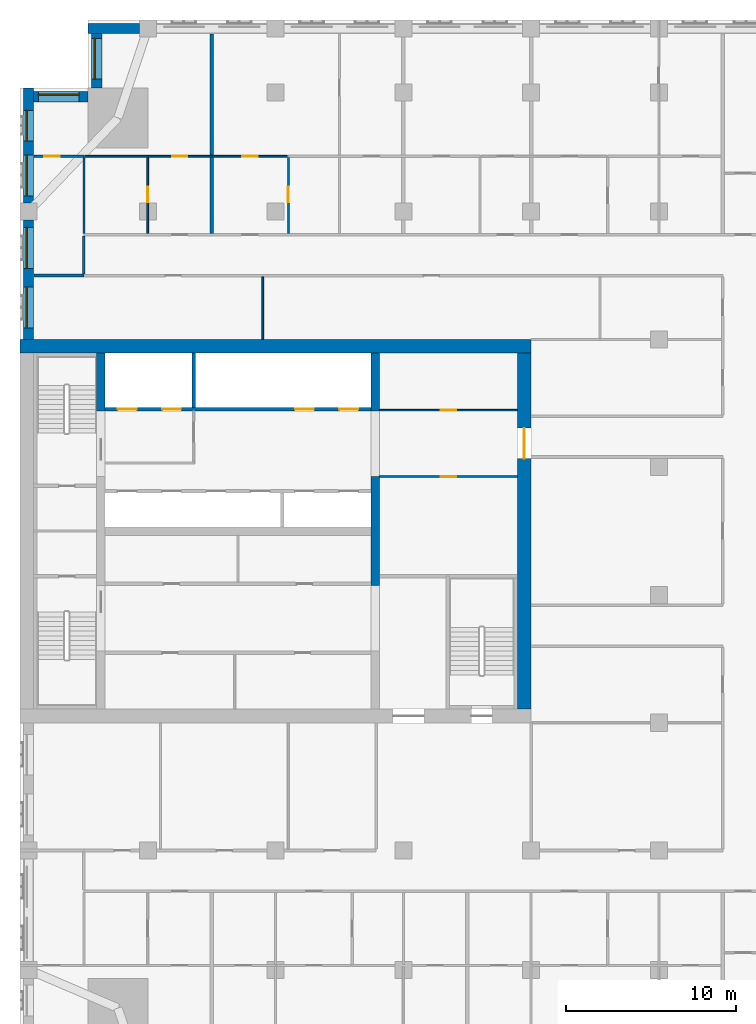
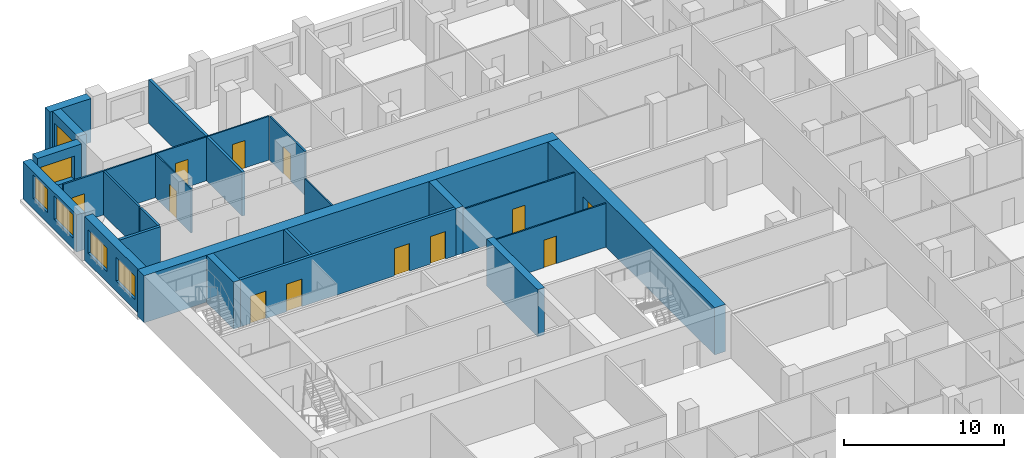
# One storey, part 8 of 13: 23 walls, 12 doors, 6 windows, 18 openings.
"""IFC4 building model written with IfcOpenShell, lengths in metres."""

from ifc_helpers import new_model, si_unit, direction, frame, frame_2d, origin, place, context, subcontext, project, spatial, rectangle, extrude, material, layer, layer_set, type_object, element, fill, save


model = new_model("IFC4")

# Units and contexts
model_context = context("Model", 3, precision=1e-05, world=origin(), true_north=direction((0.0, 1.0)))
body_context = subcontext(model_context, "Body", "Model", "MODEL_VIEW")
ifc_project = project(units=[si_unit("LENGTHUNIT", "METRE"), si_unit("AREAUNIT", "SQUARE_METRE"), si_unit("VOLUMEUNIT", "CUBIC_METRE"), si_unit("PLANEANGLEUNIT", "RADIAN"), si_unit("MASSUNIT", "GRAM", prefix="KILO")], contexts=[model_context])

# Site, building, storey
site_placement = place(None, origin())
site = spatial("IfcSite", under=ifc_project, at=site_placement, CompositionType="ELEMENT")
building_placement = place(site_placement, origin())
building = spatial("IfcBuilding", under=site, at=building_placement, Name="Tamorin Gate", CompositionType="ELEMENT")
storey_placement = place(building_placement, frame((0.0, 0.0, 130.199951171875)))
storey = spatial("IfcBuildingStorey", under=building, at=storey_placement, Name="L31", CompositionType="ELEMENT", Elevation=130.199951171875)

# Wall
ifc_material_1 = material(Name="Precast concrete C40/50", Category="concrete")
ifc_layer_1 = layer(ifc_material_1, 0.60009765625)
ifc_layer_set_1 = layer_set([ifc_layer_1], Name="Precast concrete C40/50")
wall_type_1 = type_object("IfcWallType", Name="Board-marked concrete facade panel 600", PredefinedType="SOLIDWALL", material=ifc_layer_set_1)
wall_1_placement = place(storey_placement, frame((37.0, 100.75, 0.0), z_axis=(0.0, 0.0, 1.0), x_axis=(-1.0, 0.0, 0.0)))
element("IfcWall", 1, at=wall_1_placement, inside=storey, type_object=wall_type_1, Name="Facade panel", PredefinedType="SOLIDWALL", context=body_context, shape_type="SweptSolid", body=[
    extrude(rectangle(XDim=3.0, YDim=0.60009765625, at=frame_2d((1.5, 0.0))), origin(), (0.0, 0.0, 1.0), 3.35009765625),
])

# Wall, opening, window
wall_2_placement = place(storey_placement, frame((34.5, 100.449951171875, 0.0), z_axis=(0.0, 0.0, 1.0), x_axis=(0.0, -1.0, 0.0)))
wall_2 = element("IfcWall", 2, at=wall_2_placement, inside=storey, type_object=wall_type_1, Name="Facade panel", PredefinedType="SOLIDWALL", context=body_context, shape_type="SweptSolid", body=[
    extrude(rectangle(XDim=3.199951171875, YDim=0.60009765625, at=frame_2d((1.60009765625, 0.0))), origin(), (0.0, 0.0, 1.0), 3.35009765625),
])
opening_1_placement = place(wall_2_placement, frame((0.27490234375, 0.0, 0.800048828125)))
opening_1 = element("IfcOpeningElement", 3, at=opening_1_placement, cuts=wall_2, Name="Opening WN1", PredefinedType="OPENING", context=body_context, shape_type="SweptSolid", body=[
    extrude(rectangle(XDim=2.39990234375, YDim=1.800048828125, at=frame_2d((1.199951171875, 0.89990234375))), frame((0.0, 0.31005859375, 0.0), z_axis=(0.0, -1.0, 0.0), x_axis=(1.0, 0.0, 0.0)), (0.0, 0.0, 1.0), 0.6201171875),
])
ifc_material_2 = material(Name="Clear glass in aluminium frame", Category="aluminium")
window_type_1 = type_object("IfcWindowType", Name="Deep-set window 2400x1800", PartitioningType="SINGLE_PANEL", PredefinedType="WINDOW", material=ifc_material_2)
window_1_placement = place(opening_1_placement, origin())
window_1 = element("IfcWindow", 4, at=window_1_placement, inside=storey, type_object=window_type_1, Name="Deep-set window", OverallHeight=1.800048828125, OverallWidth=2.39990234375, PartitioningType="SINGLE_PANEL", PredefinedType="WINDOW", context=body_context, shape_type="SweptSolid", body=[
    extrude(rectangle(XDim=2.39990234375, YDim=1.800048828125, at=frame_2d((1.199951171875, 0.89990234375))), frame((0.0, -0.070068359375, 0.0), z_axis=(0.0, -1.0, 0.0), x_axis=(1.0, 0.0, 0.0)), (0.0, 0.0, 1.0), 0.06005859375),
])
fill(opening_1, window_1)

wall_3_placement = place(storey_placement, frame((34.0, 96.75, 0.0), z_axis=(0.0, 0.0, 1.0), x_axis=(-1.0, 0.0, 0.0)))
wall_3 = element("IfcWall", 5, at=wall_3_placement, inside=storey, type_object=wall_type_1, Name="Facade panel", PredefinedType="SOLIDWALL", context=body_context, shape_type="SweptSolid", body=[
    extrude(rectangle(XDim=3.199951171875, YDim=0.60009765625, at=frame_2d((1.60009765625, 0.0))), origin(), (0.0, 0.0, 1.0), 3.35009765625),
])
opening_2_placement = place(wall_3_placement, frame((0.52490234375, 0.0, 0.800048828125)))
opening_2 = element("IfcOpeningElement", 6, at=opening_2_placement, cuts=wall_3, Name="Opening WN1", PredefinedType="OPENING", context=body_context, shape_type="SweptSolid", body=[
    extrude(rectangle(XDim=2.39990234375, YDim=1.800048828125, at=frame_2d((1.199951171875, 0.89990234375))), frame((0.0, 0.31005859375, 0.0), z_axis=(0.0, -1.0, 0.0), x_axis=(1.0, 0.0, 0.0)), (0.0, 0.0, 1.0), 0.6201171875),
])
window_2_placement = place(opening_2_placement, origin())
window_2 = element("IfcWindow", 7, at=window_2_placement, inside=storey, type_object=window_type_1, Name="Deep-set window", OverallHeight=1.800048828125, OverallWidth=2.39990234375, PartitioningType="SINGLE_PANEL", PredefinedType="WINDOW", context=body_context, shape_type="SweptSolid", body=[
    extrude(rectangle(XDim=2.39990234375, YDim=1.800048828125, at=frame_2d((1.199951171875, 0.89990234375))), frame((0.0, -0.070068359375, 0.0), z_axis=(0.0, -1.0, 0.0), x_axis=(1.0, 0.0, 0.0)), (0.0, 0.0, 1.0), 0.06005859375),
])
fill(opening_2, window_2)

# Wall, openings, windows
wall_4_placement = place(storey_placement, frame((30.5, 97.25, 0.0), z_axis=(0.0, 0.0, 1.0), x_axis=(0.0, -1.0, 0.0)))
wall_4 = element("IfcWall", 8, at=wall_4_placement, inside=storey, type_object=wall_type_1, Name="Facade panel", PredefinedType="SOLIDWALL", context=body_context, shape_type="SweptSolid", body=[
    extrude(rectangle(XDim=6.75, YDim=0.60009765625, at=frame_2d((3.375, 0.0))), origin(), (0.0, 0.0, 1.0), 2.85009765625),
])
opening_3_placement = place(wall_4_placement, frame((3.925048828125, 0.0, 0.800048828125)))
opening_3 = element("IfcOpeningElement", 9, at=opening_3_placement, cuts=wall_4, Name="Opening WN1", PredefinedType="OPENING", context=body_context, shape_type="SweptSolid", body=[
    extrude(rectangle(XDim=2.39990234375, YDim=1.800048828125, at=frame_2d((1.199951171875, 0.89990234375))), frame((0.0, 0.31005859375, 0.0), z_axis=(0.0, -1.0, 0.0), x_axis=(1.0, 0.0, 0.0)), (0.0, 0.0, 1.0), 0.6201171875),
])
opening_4_placement = place(wall_4_placement, frame((1.300048828125, 0.0, 0.800048828125)))
opening_4 = element("IfcOpeningElement", 10, at=opening_4_placement, cuts=wall_4, Name="Opening WN2", PredefinedType="OPENING", context=body_context, shape_type="SweptSolid", body=[
    extrude(rectangle(XDim=1.800048828125, YDim=1.800048828125, at=frame_2d((0.89990234375, 0.89990234375))), frame((0.0, 0.31005859375, 0.0), z_axis=(0.0, -1.0, 0.0), x_axis=(1.0, 0.0, 0.0)), (0.0, 0.0, 1.0), 0.6201171875),
])
window_type_2 = type_object("IfcWindowType", Name="Deep-set window 1800x1800", PartitioningType="SINGLE_PANEL", PredefinedType="WINDOW", material=ifc_material_2)
window_3_placement = place(opening_4_placement, origin())
window_3 = element("IfcWindow", 11, at=window_3_placement, inside=storey, type_object=window_type_2, Name="Deep-set window", OverallHeight=1.800048828125, OverallWidth=1.800048828125, PartitioningType="SINGLE_PANEL", PredefinedType="WINDOW", context=body_context, shape_type="SweptSolid", body=[
    extrude(rectangle(XDim=1.800048828125, YDim=1.800048828125, at=frame_2d((0.89990234375, 0.89990234375))), frame((0.0, -0.070068359375, 0.0), z_axis=(0.0, -1.0, 0.0), x_axis=(1.0, 0.0, 0.0)), (0.0, 0.0, 1.0), 0.06005859375),
])
fill(opening_4, window_3)
window_4_placement = place(opening_3_placement, origin())
window_4 = element("IfcWindow", 12, at=window_4_placement, inside=storey, type_object=window_type_1, Name="Deep-set window", OverallHeight=1.800048828125, OverallWidth=2.39990234375, PartitioningType="SINGLE_PANEL", PredefinedType="WINDOW", context=body_context, shape_type="SweptSolid", body=[
    extrude(rectangle(XDim=2.39990234375, YDim=1.800048828125, at=frame_2d((1.199951171875, 0.89990234375))), frame((0.0, -0.070068359375, 0.0), z_axis=(0.0, -1.0, 0.0), x_axis=(1.0, 0.0, 0.0)), (0.0, 0.0, 1.0), 0.06005859375),
])
fill(opening_3, window_4)

wall_5_placement = place(storey_placement, frame((30.5, 89.5, 0.0), z_axis=(0.0, 0.0, 1.0), x_axis=(0.0, -1.0, 0.0)))
wall_5 = element("IfcWall", 13, at=wall_5_placement, inside=storey, type_object=wall_type_1, Name="Facade panel", PredefinedType="SOLIDWALL", context=body_context, shape_type="SweptSolid", body=[
    extrude(rectangle(XDim=7.0, YDim=0.60009765625, at=frame_2d((3.5, 0.0))), origin(), (0.0, 0.0, 1.0), 3.35009765625),
])
opening_5_placement = place(wall_5_placement, frame((3.925048828125, 0.0, 0.800048828125)))
opening_5 = element("IfcOpeningElement", 14, at=opening_5_placement, cuts=wall_5, Name="Opening WN1", PredefinedType="OPENING", context=body_context, shape_type="SweptSolid", body=[
    extrude(rectangle(XDim=2.39990234375, YDim=1.800048828125, at=frame_2d((1.199951171875, 0.89990234375))), frame((0.0, 0.31005859375, 0.0), z_axis=(0.0, -1.0, 0.0), x_axis=(1.0, 0.0, 0.0)), (0.0, 0.0, 1.0), 0.6201171875),
])
opening_6_placement = place(wall_5_placement, frame((0.425048828125, 0.0, 0.800048828125)))
opening_6 = element("IfcOpeningElement", 15, at=opening_6_placement, cuts=wall_5, Name="Opening WN1", PredefinedType="OPENING", context=body_context, shape_type="SweptSolid", body=[
    extrude(rectangle(XDim=2.39990234375, YDim=1.800048828125, at=frame_2d((1.199951171875, 0.89990234375))), frame((0.0, 0.31005859375, 0.0), z_axis=(0.0, -1.0, 0.0), x_axis=(1.0, 0.0, 0.0)), (0.0, 0.0, 1.0), 0.6201171875),
])
window_5_placement = place(opening_5_placement, origin())
window_5 = element("IfcWindow", 16, at=window_5_placement, inside=storey, type_object=window_type_1, Name="Deep-set window", OverallHeight=1.800048828125, OverallWidth=2.39990234375, PartitioningType="SINGLE_PANEL", PredefinedType="WINDOW", context=body_context, shape_type="SweptSolid", body=[
    extrude(rectangle(XDim=2.39990234375, YDim=1.800048828125, at=frame_2d((1.199951171875, 0.89990234375))), frame((0.0, -0.070068359375, 0.0), z_axis=(0.0, -1.0, 0.0), x_axis=(1.0, 0.0, 0.0)), (0.0, 0.0, 1.0), 0.06005859375),
])
fill(opening_5, window_5)
window_6_placement = place(opening_6_placement, origin())
window_6 = element("IfcWindow", 17, at=window_6_placement, inside=storey, type_object=window_type_1, Name="Deep-set window", OverallHeight=1.800048828125, OverallWidth=2.39990234375, PartitioningType="SINGLE_PANEL", PredefinedType="WINDOW", context=body_context, shape_type="SweptSolid", body=[
    extrude(rectangle(XDim=2.39990234375, YDim=1.800048828125, at=frame_2d((1.199951171875, 0.89990234375))), frame((0.0, -0.070068359375, 0.0), z_axis=(0.0, -1.0, 0.0), x_axis=(1.0, 0.0, 0.0)), (0.0, 0.0, 1.0), 0.06005859375),
])
fill(opening_6, window_6)

# Walls
ifc_material_3 = material(Name="Gypsum board partition")
ifc_layer_2 = layer(ifc_material_3, 0.14990234375)
ifc_layer_set_2 = layer_set([ifc_layer_2], Name="Corridor wall 150")
wall_type_2 = type_object("IfcWallType", Name="Corridor wall 150", PredefinedType="PARTITIONING", material=ifc_layer_set_2)
wall_6_placement = place(storey_placement, frame((33.75, 86.35009765625, 0.0), z_axis=(0.0, 0.0, 1.0), x_axis=(0.0, 1.0, 0.0)))
element("IfcWall", 18, at=wall_6_placement, inside=storey, type_object=wall_type_2, Name="Corridor wall 150", PredefinedType="PARTITIONING", context=body_context, shape_type="SweptSolid", body=[
    extrude(rectangle(XDim=2.224853515625, YDim=0.14990234375, at=frame_2d((1.1123046875, 0.0))), origin(), (0.0, 0.0, 1.0), 3.35009765625),
])
ifc_layer_3 = layer(ifc_material_3, 0.199951171875)
ifc_layer_set_3 = layer_set([ifc_layer_3], Name="Demising wall 200")
wall_type_3 = type_object("IfcWallType", Name="Demising wall 200", PredefinedType="PARTITIONING", material=ifc_layer_set_3)
wall_7_placement = place(storey_placement, frame((30.81005859375, 86.25, 0.0), z_axis=(0.0, 0.0, 1.0), x_axis=(1.0, 0.0, 0.0)))
element("IfcWall", 19, at=wall_7_placement, inside=storey, type_object=wall_type_3, Name="Demising wall 200", PredefinedType="PARTITIONING", context=body_context, shape_type="SweptSolid", body=[
    extrude(rectangle(XDim=2.93994140625, YDim=0.199951171875, at=frame_2d((1.469970703125, 0.0))), origin(), (0.0, 0.0, 1.0), 3.35009765625),
])
wall_8_placement = place(storey_placement, frame((41.25, 88.72509765625, 0.0), z_axis=(0.0, 0.0, 1.0), x_axis=(0.0, 1.0, 0.0)))
element("IfcWall", 20, at=wall_8_placement, inside=storey, type_object=wall_type_3, Name="Demising wall 200", PredefinedType="PARTITIONING", context=body_context, shape_type="SweptSolid", body=[
    extrude(rectangle(XDim=11.71484375, YDim=0.199951171875, at=frame_2d((5.857421875, 0.0))), origin(), (0.0, 0.0, 1.0), 3.35009765625),
])

# Wall, openings, doors
ifc_material_4 = material(Name="Concrete C32/40", Category="concrete")
ifc_layer_4 = layer(ifc_material_4, 0.199951171875)
ifc_layer_set_4 = layer_set([ifc_layer_4], Name="Lift lobby face wall 200 EI 120")
wall_type_4 = type_object("IfcWallType", Name="Lift lobby face wall 200 EI 120", PredefinedType="SOLIDWALL", material=ifc_layer_set_4)
wall_9_placement = place(storey_placement, frame((35.0, 78.39990234375, 0.0), z_axis=(0.0, 0.0, 1.0), x_axis=(1.0, 0.0, 0.0)))
wall_9 = element("IfcWall", 21, at=wall_9_placement, inside=storey, type_object=wall_type_4, Name="Lift lobby face wall", PredefinedType="SOLIDWALL", context=body_context, shape_type="SweptSolid", body=[
    extrude(rectangle(XDim=15.60009765625, YDim=0.199951171875, at=frame_2d((7.800048828125, 0.0))), origin(), (0.0, 0.0, 1.0), 3.60009765625),
])
opening_7_placement = place(wall_9_placement, frame((0.75, 0.0, 0.0)))
opening_7 = element("IfcOpeningElement", 22, at=opening_7_placement, cuts=wall_9, Name="Opening LD17", PredefinedType="OPENING", context=body_context, shape_type="SweptSolid", body=[
    extrude(rectangle(XDim=1.10009765625, YDim=2.10009765625, at=frame_2d((0.550048828125, 1.050048828125))), frame((0.0, 0.10986328125, 0.0), z_axis=(0.0, -1.0, 0.0), x_axis=(1.0, 0.0, 0.0)), (0.0, 0.0, 1.0), 0.219970703125),
])
opening_8_placement = place(wall_9_placement, frame((3.35009765625, 0.0, 0.0)))
opening_8 = element("IfcOpeningElement", 23, at=opening_8_placement, cuts=wall_9, Name="Opening LD18", PredefinedType="OPENING", context=body_context, shape_type="SweptSolid", body=[
    extrude(rectangle(XDim=1.10009765625, YDim=2.10009765625, at=frame_2d((0.550048828125, 1.050048828125))), frame((0.0, 0.10986328125, 0.0), z_axis=(0.0, -1.0, 0.0), x_axis=(1.0, 0.0, 0.0)), (0.0, 0.0, 1.0), 0.219970703125),
])
opening_9_placement = place(wall_9_placement, frame((11.14990234375, 0.0, 0.0)))
opening_9 = element("IfcOpeningElement", 24, at=opening_9_placement, cuts=wall_9, Name="Opening LD21", PredefinedType="OPENING", context=body_context, shape_type="SweptSolid", body=[
    extrude(rectangle(XDim=1.10009765625, YDim=2.10009765625, at=frame_2d((0.550048828125, 1.050048828125))), frame((0.0, 0.10986328125, 0.0), z_axis=(0.0, -1.0, 0.0), x_axis=(1.0, 0.0, 0.0)), (0.0, 0.0, 1.0), 0.219970703125),
])
opening_10_placement = place(wall_9_placement, frame((13.75, 0.0, 0.0)))
opening_10 = element("IfcOpeningElement", 25, at=opening_10_placement, cuts=wall_9, Name="Opening LD22", PredefinedType="OPENING", context=body_context, shape_type="SweptSolid", body=[
    extrude(rectangle(XDim=1.10009765625, YDim=2.10009765625, at=frame_2d((0.550048828125, 1.050048828125))), frame((0.0, 0.10986328125, 0.0), z_axis=(0.0, -1.0, 0.0), x_axis=(1.0, 0.0, 0.0)), (0.0, 0.0, 1.0), 0.219970703125),
])
ifc_material_5 = material(Name="Stainless steel sliding door", Category="steel")
door_type_1 = type_object("IfcDoorType", Name="Lift landing door 1100 x 2100 E 90", OperationType="DOUBLE_DOOR_SLIDING", PredefinedType="DOOR", material=ifc_material_5)
door_1_placement = place(opening_7_placement, origin())
door_1 = element("IfcDoor", 26, at=door_1_placement, inside=storey, type_object=door_type_1, Name="FF1 landing door", OperationType="DOUBLE_DOOR_SLIDING", OverallHeight=2.10009765625, OverallWidth=1.10009765625, PredefinedType="DOOR", context=body_context, shape_type="SweptSolid", body=[
    extrude(rectangle(XDim=1.10009765625, YDim=2.10009765625, at=frame_2d((0.550048828125, 1.050048828125))), frame((0.0, 0.02490234375, 0.0), z_axis=(0.0, -1.0, 0.0), x_axis=(1.0, 0.0, 0.0)), (0.0, 0.0, 1.0), 0.050048828125),
])
fill(opening_7, door_1)
door_2_placement = place(opening_8_placement, origin())
door_2 = element("IfcDoor", 27, at=door_2_placement, inside=storey, type_object=door_type_1, Name="FF2 landing door", OperationType="DOUBLE_DOOR_SLIDING", OverallHeight=2.10009765625, OverallWidth=1.10009765625, PredefinedType="DOOR", context=body_context, shape_type="SweptSolid", body=[
    extrude(rectangle(XDim=1.10009765625, YDim=2.10009765625, at=frame_2d((0.550048828125, 1.050048828125))), frame((0.0, 0.02490234375, 0.0), z_axis=(0.0, -1.0, 0.0), x_axis=(1.0, 0.0, 0.0)), (0.0, 0.0, 1.0), 0.050048828125),
])
fill(opening_8, door_2)
door_3_placement = place(opening_9_placement, origin())
door_3 = element("IfcDoor", 28, at=door_3_placement, inside=storey, type_object=door_type_1, Name="SV1 landing door", OperationType="DOUBLE_DOOR_SLIDING", OverallHeight=2.10009765625, OverallWidth=1.10009765625, PredefinedType="DOOR", context=body_context, shape_type="SweptSolid", body=[
    extrude(rectangle(XDim=1.10009765625, YDim=2.10009765625, at=frame_2d((0.550048828125, 1.050048828125))), frame((0.0, 0.02490234375, 0.0), z_axis=(0.0, -1.0, 0.0), x_axis=(1.0, 0.0, 0.0)), (0.0, 0.0, 1.0), 0.050048828125),
])
fill(opening_9, door_3)
door_4_placement = place(opening_10_placement, origin())
door_4 = element("IfcDoor", 29, at=door_4_placement, inside=storey, type_object=door_type_1, Name="SV2 landing door", OperationType="DOUBLE_DOOR_SLIDING", OverallHeight=2.10009765625, OverallWidth=1.10009765625, PredefinedType="DOOR", context=body_context, shape_type="SweptSolid", body=[
    extrude(rectangle(XDim=1.10009765625, YDim=2.10009765625, at=frame_2d((0.550048828125, 1.050048828125))), frame((0.0, 0.02490234375, 0.0), z_axis=(0.0, -1.0, 0.0), x_axis=(1.0, 0.0, 0.0)), (0.0, 0.0, 1.0), 0.050048828125),
])
fill(opening_10, door_4)

# Walls
ifc_layer_5 = layer(ifc_material_4, 0.199951171875)
ifc_layer_set_5 = layer_set([ifc_layer_5], Name="Lift shaft wall 200 EI 120")
wall_type_5 = type_object("IfcWallType", Name="Lift shaft wall 200 EI 120", PredefinedType="SOLIDWALL", material=ifc_layer_set_5)
wall_10_placement = place(storey_placement, frame((40.199951171875, 78.5, 0.0), z_axis=(0.0, 0.0, 1.0), x_axis=(0.0, 1.0, 0.0)))
element("IfcWall", 30, at=wall_10_placement, inside=storey, type_object=wall_type_5, Name="Lift shaft wall", PredefinedType="SOLIDWALL", context=body_context, shape_type="SweptSolid", body=[
    extrude(rectangle(XDim=3.199951171875, YDim=0.199951171875, at=frame_2d((1.60009765625, 0.0))), origin(), (0.0, 0.0, 1.0), 3.60009765625),
])
ifc_material_6 = material(Name="Concrete C60/75", Category="concrete")
ifc_layer_6 = layer(ifc_material_6, 0.5)
ifc_layer_set_6 = layer_set([ifc_layer_6], Name="RC core internal wall 500 C60/75")
wall_type_6 = type_object("IfcWallType", Name="RC core internal wall 500 C60/75", PredefinedType="SHEAR", material=ifc_layer_set_6)
wall_11_placement = place(storey_placement, frame((34.75, 78.300048828125, 0.0), z_axis=(0.0, 0.0, 1.0), x_axis=(0.0, 1.0, 0.0)))
element("IfcWall", 31, at=wall_11_placement, inside=storey, type_object=wall_type_6, Name="Core cross wall L31", PredefinedType="SHEAR", context=body_context, shape_type="SweptSolid", body=[
    extrude(rectangle(XDim=3.39990234375, YDim=0.5, at=frame_2d((1.699951171875, 0.0))), origin(), (0.0, 0.0, 1.0), 3.60009765625),
])
wall_12_placement = place(storey_placement, frame((50.85009765625, 68.050048828125, 0.0), z_axis=(0.0, 0.0, 1.0), x_axis=(0.0, 1.0, 0.0)))
element("IfcWall", 32, at=wall_12_placement, inside=storey, type_object=wall_type_6, Name="Core cross wall L31", PredefinedType="SHEAR", context=body_context, shape_type="SweptSolid", body=[
    extrude(rectangle(XDim=6.39990234375, YDim=0.5, at=frame_2d((3.199951171875, 0.0))), origin(), (0.0, 0.0, 1.0), 3.60009765625),
])
wall_13_placement = place(storey_placement, frame((50.85009765625, 78.300048828125, 0.0), z_axis=(0.0, 0.0, 1.0), x_axis=(0.0, 1.0, 0.0)))
element("IfcWall", 33, at=wall_13_placement, inside=storey, type_object=wall_type_6, Name="Core cross wall L31", PredefinedType="SHEAR", context=body_context, shape_type="SweptSolid", body=[
    extrude(rectangle(XDim=3.39990234375, YDim=0.5, at=frame_2d((1.699951171875, 0.0))), origin(), (0.0, 0.0, 1.0), 3.60009765625),
])
ifc_layer_7 = layer(ifc_material_6, 0.800048828125)
ifc_layer_set_7 = layer_set([ifc_layer_7], Name="RC core wall 800 C60/75")
wall_type_7 = type_object("IfcWallType", Name="RC core wall 800 C60/75", PredefinedType="SHEAR", material=ifc_layer_set_7)
wall_14_placement = place(storey_placement, frame((30.0, 82.10009765625, 0.0), z_axis=(0.0, 0.0, 1.0), x_axis=(1.0, 0.0, 0.0)))
element("IfcWall", 34, at=wall_14_placement, inside=storey, type_object=wall_type_7, Name="Core wall L31", PredefinedType="SHEAR", context=body_context, shape_type="SweptSolid", body=[
    extrude(rectangle(XDim=30.0, YDim=0.800048828125, at=frame_2d((15.0, 0.0))), origin(), (0.0, 0.0, 1.0), 3.60009765625),
])

# Wall, opening, door
wall_15_placement = place(storey_placement, frame((59.60009765625, 60.800048828125, 0.0), z_axis=(0.0, 0.0, 1.0), x_axis=(0.0, 1.0, 0.0)))
wall_15 = element("IfcWall", 35, at=wall_15_placement, inside=storey, type_object=wall_type_7, Name="Core wall L31", PredefinedType="SHEAR", context=body_context, shape_type="SweptSolid", body=[
    extrude(rectangle(XDim=20.89990234375, YDim=0.800048828125, at=frame_2d((10.449951171875, 0.0))), origin(), (0.0, 0.0, 1.0), 3.60009765625),
])
opening_11_placement = place(wall_15_placement, frame((14.699951171875, 0.0, 0.0)))
opening_11 = element("IfcOpeningElement", 36, at=opening_11_placement, cuts=wall_15, Name="Opening DE1", PredefinedType="OPENING", context=body_context, shape_type="SweptSolid", body=[
    extrude(rectangle(XDim=1.800048828125, YDim=2.10009765625, at=frame_2d((0.89990234375, 1.050048828125))), frame((0.0, 0.409912109375, 0.0), z_axis=(0.0, -1.0, 0.0), x_axis=(1.0, 0.0, 0.0)), (0.0, 0.0, 1.0), 0.820068359375),
])
ifc_material_7 = material(Name="Steel fire door", Category="steel")
door_type_2 = type_object("IfcDoorType", Name="Lobby exit double door 1800 x 2100 EI 60", OperationType="DOUBLE_DOOR_SINGLE_SWING", PredefinedType="DOOR", material=ifc_material_7)
door_5_placement = place(opening_11_placement, origin())
door_5 = element("IfcDoor", 37, at=door_5_placement, inside=storey, type_object=door_type_2, Name="Lift lobby B exit door", OperationType="DOUBLE_DOOR_SINGLE_SWING", OverallHeight=2.10009765625, OverallWidth=1.800048828125, PredefinedType="DOOR", context=body_context, shape_type="SweptSolid", body=[
    extrude(rectangle(XDim=1.800048828125, YDim=2.10009765625, at=frame_2d((0.89990234375, 1.050048828125))), frame((0.0, 0.02490234375, 0.0), z_axis=(0.0, -1.0, 0.0), x_axis=(1.0, 0.0, 0.0)), (0.0, 0.0, 1.0), 0.050048828125),
])
fill(opening_11, door_5)

# Wall, openings, doors
ifc_layer_8 = layer(ifc_material_3, 0.10009765625)
ifc_layer_set_8 = layer_set([ifc_layer_8], Name="Room partition 100")
wall_type_8 = type_object("IfcWallType", Name="Room partition 100", PredefinedType="PARTITIONING", material=ifc_layer_set_8)
wall_16_placement = place(storey_placement, frame((33.8125, 93.25, 0.0), z_axis=(0.0, 0.0, 1.0), x_axis=(1.0, 0.0, 0.0)))
wall_16 = element("IfcWall", 38, at=wall_16_placement, inside=storey, type_object=wall_type_8, Name="Room partition 100", PredefinedType="PARTITIONING", context=body_context, shape_type="SweptSolid", body=[
    extrude(rectangle(XDim=11.875, YDim=0.10009765625, at=frame_2d((5.9375, 0.0))), origin(), (0.0, 0.0, 1.0), 3.35009765625),
])
opening_12_placement = place(wall_16_placement, frame((5.112548828125, 0.0, 0.0)))
opening_12 = element("IfcOpeningElement", 39, at=opening_12_placement, cuts=wall_16, Name="Opening DS1022", PredefinedType="OPENING", context=body_context, shape_type="SweptSolid", body=[
    extrude(rectangle(XDim=0.89990234375, YDim=2.10009765625, at=frame_2d((0.449951171875, 1.050048828125))), frame((0.0, 0.06005859375, 0.0), z_axis=(0.0, -1.0, 0.0), x_axis=(1.0, 0.0, 0.0)), (0.0, 0.0, 1.0), 0.1201171875),
])
opening_13_placement = place(wall_16_placement, frame((9.237548828125, 0.0, 0.0)))
opening_13 = element("IfcOpeningElement", 40, at=opening_13_placement, cuts=wall_16, Name="Opening DS1024", PredefinedType="OPENING", context=body_context, shape_type="SweptSolid", body=[
    extrude(rectangle(XDim=0.89990234375, YDim=2.10009765625, at=frame_2d((0.449951171875, 1.050048828125))), frame((0.0, 0.06005859375, 0.0), z_axis=(0.0, -1.0, 0.0), x_axis=(1.0, 0.0, 0.0)), (0.0, 0.0, 1.0), 0.1201171875),
])
ifc_material_8 = material(Name="Timber door leaf", Category="wood")
door_type_3 = type_object("IfcDoorType", Name="Door 900 x 2100", OperationType="NOTDEFINED", PredefinedType="DOOR", material=ifc_material_8)
door_6_placement = place(opening_12_placement, origin())
door_6 = element("IfcDoor", 41, at=door_6_placement, inside=storey, type_object=door_type_3, Name="Door DS1022", OperationType="SINGLE_SWING_RIGHT", OverallHeight=2.10009765625, OverallWidth=0.89990234375, PredefinedType="DOOR", context=body_context, shape_type="SweptSolid", body=[
    extrude(rectangle(XDim=0.89990234375, YDim=2.10009765625, at=frame_2d((0.449951171875, 1.050048828125))), frame((0.0, 0.02490234375, 0.0), z_axis=(0.0, -1.0, 0.0), x_axis=(1.0, 0.0, 0.0)), (0.0, 0.0, 1.0), 0.050048828125),
])
fill(opening_12, door_6)
door_7_placement = place(opening_13_placement, origin())
door_7 = element("IfcDoor", 42, at=door_7_placement, inside=storey, type_object=door_type_3, Name="Door DS1024", OperationType="SINGLE_SWING_RIGHT", OverallHeight=2.10009765625, OverallWidth=0.89990234375, PredefinedType="DOOR", context=body_context, shape_type="SweptSolid", body=[
    extrude(rectangle(XDim=0.89990234375, YDim=2.10009765625, at=frame_2d((0.449951171875, 1.050048828125))), frame((0.0, 0.02490234375, 0.0), z_axis=(0.0, -1.0, 0.0), x_axis=(1.0, 0.0, 0.0)), (0.0, 0.0, 1.0), 0.050048828125),
])
fill(opening_13, door_7)

# Wall, opening, door
wall_17_placement = place(storey_placement, frame((37.5, 88.72509765625, 0.0), z_axis=(0.0, 0.0, 1.0), x_axis=(0.0, 1.0, 0.0)))
wall_17 = element("IfcWall", 43, at=wall_17_placement, inside=storey, type_object=wall_type_8, Name="Room partition 100", PredefinedType="PARTITIONING", context=body_context, shape_type="SweptSolid", body=[
    extrude(rectangle(XDim=4.474853515625, YDim=0.10009765625, at=frame_2d((2.2373046875, 0.0))), origin(), (0.0, 0.0, 1.0), 3.35009765625),
])
opening_14_placement = place(wall_17_placement, frame((1.824951171875, 0.0, 0.0)))
opening_14 = element("IfcOpeningElement", 44, at=opening_14_placement, cuts=wall_17, Name="Opening DS1020", PredefinedType="OPENING", context=body_context, shape_type="SweptSolid", body=[
    extrude(rectangle(XDim=0.89990234375, YDim=2.10009765625, at=frame_2d((0.449951171875, 1.050048828125))), frame((0.0, 0.06005859375, 0.0), z_axis=(0.0, -1.0, 0.0), x_axis=(1.0, 0.0, 0.0)), (0.0, 0.0, 1.0), 0.1201171875),
])
door_8_placement = place(opening_14_placement, origin())
door_8 = element("IfcDoor", 45, at=door_8_placement, inside=storey, type_object=door_type_3, Name="Door DS1020", OperationType="SINGLE_SWING_RIGHT", OverallHeight=2.10009765625, OverallWidth=0.89990234375, PredefinedType="DOOR", context=body_context, shape_type="SweptSolid", body=[
    extrude(rectangle(XDim=0.89990234375, YDim=2.10009765625, at=frame_2d((0.449951171875, 1.050048828125))), frame((0.0, 0.02490234375, 0.0), z_axis=(0.0, -1.0, 0.0), x_axis=(1.0, 0.0, 0.0)), (0.0, 0.0, 1.0), 0.050048828125),
])
fill(opening_14, door_8)

# Wall
wall_18_placement = place(storey_placement, frame((44.25, 82.5, 0.0), z_axis=(0.0, 0.0, 1.0), x_axis=(0.0, 1.0, 0.0)))
element("IfcWall", 46, at=wall_18_placement, inside=storey, type_object=wall_type_8, Name="Room partition 100", PredefinedType="PARTITIONING", context=body_context, shape_type="SweptSolid", body=[
    extrude(rectangle(XDim=3.675048828125, YDim=0.10009765625, at=frame_2d((1.83740234375, 0.0))), origin(), (0.0, 0.0, 1.0), 3.35009765625),
])

# Wall, opening, door
ifc_layer_9 = layer(ifc_material_3, 0.10009765625)
ifc_layer_set_9 = layer_set([ifc_layer_9], Name="Service room partition 100 EI 60")
wall_type_9 = type_object("IfcWallType", Name="Service room partition 100 EI 60", PredefinedType="PARTITIONING", material=ifc_layer_set_9)
wall_19_placement = place(storey_placement, frame((51.10009765625, 74.449951171875, 0.0), z_axis=(0.0, 0.0, 1.0), x_axis=(1.0, 0.0, 0.0)))
wall_19 = element("IfcWall", 47, at=wall_19_placement, inside=storey, type_object=wall_type_9, Name="Service room wall", PredefinedType="PARTITIONING", context=body_context, shape_type="SweptSolid", body=[
    extrude(rectangle(XDim=8.099853515625, YDim=0.10009765625, at=frame_2d((4.0498046875, 0.0))), origin(), (0.0, 0.0, 1.0), 3.35009765625),
])
opening_15_placement = place(wall_19_placement, frame((3.60009765625, 0.0, 0.0)))
opening_15 = element("IfcOpeningElement", 48, at=opening_15_placement, cuts=wall_19, Name="Opening DR1", PredefinedType="OPENING", context=body_context, shape_type="SweptSolid", body=[
    extrude(rectangle(XDim=0.89990234375, YDim=2.10009765625, at=frame_2d((0.449951171875, 1.050048828125))), frame((0.0, 0.06005859375, 0.0), z_axis=(0.0, -1.0, 0.0), x_axis=(1.0, 0.0, 0.0)), (0.0, 0.0, 1.0), 0.1201171875),
])
door_type_4 = type_object("IfcDoorType", Name="Riser access door 900 x 2100 EI 120", OperationType="SINGLE_SWING_LEFT", PredefinedType="DOOR", material=ifc_material_7)
door_9_placement = place(opening_15_placement, origin())
door_9 = element("IfcDoor", 49, at=door_9_placement, inside=storey, type_object=door_type_4, Name="Duct riser door", OperationType="SINGLE_SWING_LEFT", OverallHeight=2.10009765625, OverallWidth=0.89990234375, PredefinedType="DOOR", context=body_context, shape_type="SweptSolid", body=[
    extrude(rectangle(XDim=0.89990234375, YDim=2.10009765625, at=frame_2d((0.449951171875, 1.050048828125))), frame((0.0, 0.02490234375, 0.0), z_axis=(0.0, -1.0, 0.0), x_axis=(1.0, 0.0, 0.0)), (0.0, 0.0, 1.0), 0.050048828125),
])
fill(opening_15, door_9)

wall_20_placement = place(storey_placement, frame((51.10009765625, 78.35009765625, 0.0), z_axis=(0.0, 0.0, 1.0), x_axis=(1.0, 0.0, 0.0)))
wall_20 = element("IfcWall", 50, at=wall_20_placement, inside=storey, type_object=wall_type_9, Name="Service room wall", PredefinedType="PARTITIONING", context=body_context, shape_type="SweptSolid", body=[
    extrude(rectangle(XDim=8.099853515625, YDim=0.10009765625, at=frame_2d((4.0498046875, 0.0))), origin(), (0.0, 0.0, 1.0), 3.35009765625),
])
opening_16_placement = place(wall_20_placement, frame((3.60009765625, 0.0, 0.0)))
opening_16 = element("IfcOpeningElement", 51, at=opening_16_placement, cuts=wall_20, Name="Opening DK1", PredefinedType="OPENING", context=body_context, shape_type="SweptSolid", body=[
    extrude(rectangle(XDim=0.89990234375, YDim=2.10009765625, at=frame_2d((0.449951171875, 1.050048828125))), frame((0.0, 0.06005859375, 0.0), z_axis=(0.0, -1.0, 0.0), x_axis=(1.0, 0.0, 0.0)), (0.0, 0.0, 1.0), 0.1201171875),
])
ifc_material_9 = material(Name="Timber fire door", Category="wood")
door_type_5 = type_object("IfcDoorType", Name="Service room door 900 x 2100 EI 60", OperationType="SINGLE_SWING_LEFT", PredefinedType="DOOR", material=ifc_material_9)
door_10_placement = place(opening_16_placement, origin())
door_10 = element("IfcDoor", 52, at=door_10_placement, inside=storey, type_object=door_type_5, Name="Door Pantry", OperationType="SINGLE_SWING_LEFT", OverallHeight=2.10009765625, OverallWidth=0.89990234375, PredefinedType="DOOR", context=body_context, shape_type="SweptSolid", body=[
    extrude(rectangle(XDim=0.89990234375, YDim=2.10009765625, at=frame_2d((0.449951171875, 1.050048828125))), frame((0.0, 0.02490234375, 0.0), z_axis=(0.0, -1.0, 0.0), x_axis=(1.0, 0.0, 0.0)), (0.0, 0.0, 1.0), 0.050048828125),
])
fill(opening_16, door_10)

ifc_layer_10 = layer(ifc_material_3, 0.125)
ifc_layer_set_10 = layer_set([ifc_layer_10], Name="Wet wall 125")
wall_type_10 = type_object("IfcWallType", Name="Wet wall 125", PredefinedType="PARTITIONING", material=ifc_layer_set_10)
wall_21_placement = place(storey_placement, frame((30.81005859375, 93.25, 0.0), z_axis=(0.0, 0.0, 1.0), x_axis=(1.0, 0.0, 0.0)))
wall_21 = element("IfcWall", 53, at=wall_21_placement, inside=storey, type_object=wall_type_10, Name="Wet wall 125", PredefinedType="PARTITIONING", context=body_context, shape_type="SweptSolid", body=[
    extrude(rectangle(XDim=2.93994140625, YDim=0.125, at=frame_2d((1.469970703125, 0.0))), origin(), (0.0, 0.0, 1.0), 3.35009765625),
])
opening_17_placement = place(wall_21_placement, frame((0.614990234375, 0.0, 0.0)))
opening_17 = element("IfcOpeningElement", 54, at=opening_17_placement, cuts=wall_21, Name="Opening DS1019", PredefinedType="OPENING", context=body_context, shape_type="SweptSolid", body=[
    extrude(rectangle(XDim=0.89990234375, YDim=2.10009765625, at=frame_2d((0.449951171875, 1.050048828125))), frame((0.0, 0.072509765625, 0.0), z_axis=(0.0, -1.0, 0.0), x_axis=(1.0, 0.0, 0.0)), (0.0, 0.0, 1.0), 0.14501953125),
])
door_11_placement = place(opening_17_placement, origin())
door_11 = element("IfcDoor", 55, at=door_11_placement, inside=storey, type_object=door_type_3, Name="Door DS1019", OperationType="SINGLE_SWING_RIGHT", OverallHeight=2.10009765625, OverallWidth=0.89990234375, PredefinedType="DOOR", context=body_context, shape_type="SweptSolid", body=[
    extrude(rectangle(XDim=0.89990234375, YDim=2.10009765625, at=frame_2d((0.449951171875, 1.050048828125))), frame((0.0, 0.02490234375, 0.0), z_axis=(0.0, -1.0, 0.0), x_axis=(1.0, 0.0, 0.0)), (0.0, 0.0, 1.0), 0.050048828125),
])
fill(opening_17, door_11)

# Wall
wall_22_placement = place(storey_placement, frame((33.75, 88.72509765625, 0.0), z_axis=(0.0, 0.0, 1.0), x_axis=(0.0, 1.0, 0.0)))
element("IfcWall", 56, at=wall_22_placement, inside=storey, type_object=wall_type_10, Name="Wet wall 125", PredefinedType="PARTITIONING", context=body_context, shape_type="SweptSolid", body=[
    extrude(rectangle(XDim=4.46240234375, YDim=0.125, at=frame_2d((2.231201171875, 0.0))), origin(), (0.0, 0.0, 1.0), 3.35009765625),
])

# Wall, opening, door
wall_23_placement = place(storey_placement, frame((45.75, 88.72509765625, 0.0), z_axis=(0.0, 0.0, 1.0), x_axis=(0.0, 1.0, 0.0)))
wall_23 = element("IfcWall", 57, at=wall_23_placement, inside=storey, type_object=wall_type_10, Name="Wet wall 125", PredefinedType="PARTITIONING", context=body_context, shape_type="SweptSolid", body=[
    extrude(rectangle(XDim=4.46240234375, YDim=0.125, at=frame_2d((2.231201171875, 0.0))), origin(), (0.0, 0.0, 1.0), 3.35009765625),
])
opening_18_placement = place(wall_23_placement, frame((1.824951171875, 0.0, 0.0)))
opening_18 = element("IfcOpeningElement", 58, at=opening_18_placement, cuts=wall_23, Name="Opening DS1025", PredefinedType="OPENING", context=body_context, shape_type="SweptSolid", body=[
    extrude(rectangle(XDim=0.89990234375, YDim=2.10009765625, at=frame_2d((0.449951171875, 1.050048828125))), frame((0.0, 0.072509765625, 0.0), z_axis=(0.0, -1.0, 0.0), x_axis=(1.0, 0.0, 0.0)), (0.0, 0.0, 1.0), 0.14501953125),
])
door_12_placement = place(opening_18_placement, origin())
door_12 = element("IfcDoor", 59, at=door_12_placement, inside=storey, type_object=door_type_3, Name="Door DS1025", OperationType="SINGLE_SWING_LEFT", OverallHeight=2.10009765625, OverallWidth=0.89990234375, PredefinedType="DOOR", context=body_context, shape_type="SweptSolid", body=[
    extrude(rectangle(XDim=0.89990234375, YDim=2.10009765625, at=frame_2d((0.449951171875, 1.050048828125))), frame((0.0, 0.02490234375, 0.0), z_axis=(0.0, -1.0, 0.0), x_axis=(1.0, 0.0, 0.0)), (0.0, 0.0, 1.0), 0.050048828125),
])
fill(opening_18, door_12)

save(model, "model.ifc")
